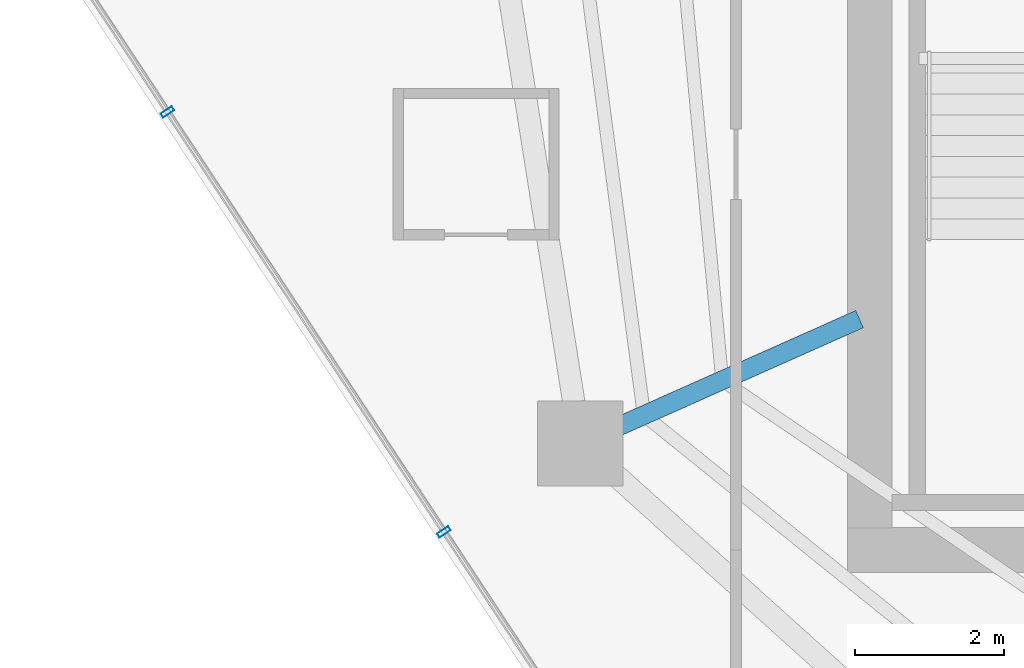
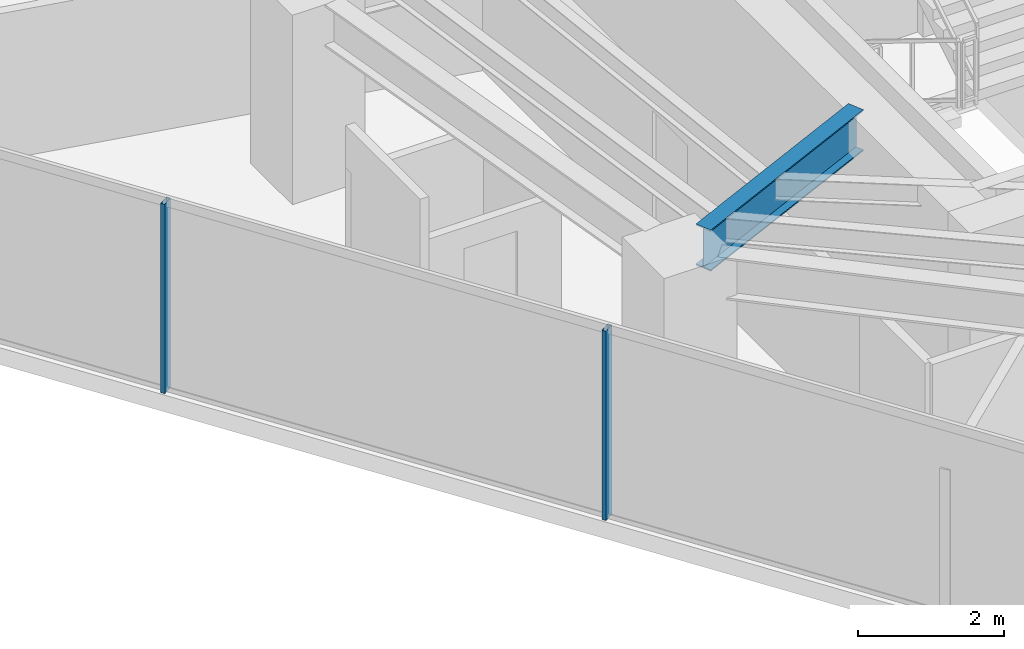
# One storey, part 6 of 30: 2 members, 1 beam, 1 element without a shape of its own.
"""IFC4 building model written with IfcOpenShell, lengths in metres."""

from ifc_helpers import new_model, si_unit, direction, frame, origin, origin_2d, place, context, subcontext, project, spatial, hollow_rectangle, i_section, extrude, material, layer, layer_set, material_profile, profile_set, type_object, element, aggregate, save


model = new_model("IFC4")

# Units and contexts
model_context = context("Model", 3, precision=1e-05, world=origin(), true_north=direction((0.0, 1.0)))
body_context = subcontext(model_context, "Body", "Model", "MODEL_VIEW")
ifc_project = project(units=[si_unit("LENGTHUNIT", "METRE"), si_unit("AREAUNIT", "SQUARE_METRE"), si_unit("VOLUMEUNIT", "CUBIC_METRE"), si_unit("PLANEANGLEUNIT", "RADIAN"), si_unit("MASSUNIT", "GRAM", prefix="KILO")], contexts=[model_context])

# Site, building, storey
site_placement = place(None, origin())
site = spatial("IfcSite", under=ifc_project, at=site_placement, CompositionType="ELEMENT")
building_placement = place(site_placement, origin())
building = spatial("IfcBuilding", under=site, at=building_placement, Name="Qarnah Convention Tower", CompositionType="ELEMENT")
storey_placement = place(building_placement, frame((0.0, 0.0, 79.800048828125)))
storey = spatial("IfcBuildingStorey", under=building, at=storey_placement, Name="L20", CompositionType="ELEMENT", Elevation=79.800048828125)

# Beam
ifc_material_1 = material(Name="Structural steel S355JR", Category="steel")
ifc_material_profile_1 = material_profile(ifc_material_1, i_section(OverallWidth=0.25390625, OverallDepth=0.68798828125, WebThickness=0.012939453125, FlangeThickness=0.02099609375, at=origin_2d()), Name="W690X152")
ifc_profile_set_1 = profile_set([ifc_material_profile_1], Name="Structural steel S355JR")
beam_type = type_object("IfcBeamType", Name="BM-RAD-W690", PredefinedType="BEAM", material=ifc_profile_set_1)
beam_placement = place(storey_placement, frame((26.6630859375, 21.708984375, 2.825927734375), z_axis=(-0.913588053958, -0.4066409567, 0.0), x_axis=(0.4066409567, -0.913588053958, 0.0)))
element("IfcBeam", 1, at=beam_placement, inside=storey, type_object=beam_type, Name="L20 beam BM-L20-RAD-06", PredefinedType="BEAM", context=body_context, shape_type="SweptSolid", body=[
    extrude(i_section(OverallWidth=0.25390625, OverallDepth=0.68798828125, WebThickness=0.012939453125, FlangeThickness=0.02099609375, at=origin_2d()), origin(), (0.0, 0.0, 1.0), 3.560791015625),
])

# Curtain wall, members
ifc_material_2 = material(Name="Tempered Low-E dark glass", Category="glass")
ifc_layer = layer(ifc_material_2, 0.169921875)
ifc_layer_set = layer_set([ifc_layer], Name="Tempered Low-E dark glass")
curtain_wall_type = type_object("IfcCurtainWallType", Name="CWS-02", PredefinedType="NOTDEFINED", material=ifc_layer_set)
curtain_wall_placement = place(storey_placement, origin())
curtain_wall = element("IfcCurtainWall", 2, at=curtain_wall_placement, inside=storey, type_object=curtain_wall_type, Name="L20 unitised curtain wall CW-L20-F3", PredefinedType="NOTDEFINED")
ifc_material_3 = material(Name="Black anodised aluminium", Category="aluminium")
ifc_material_profile_2 = material_profile(ifc_material_3, hollow_rectangle(XDim=0.06494140625, YDim=0.179931640625, WallThickness=0.00390625, at=origin_2d()), Name="MUL-65X180")
ifc_profile_set_2 = profile_set([ifc_material_profile_2], Name="Black anodised aluminium")
member_type = type_object("IfcMemberType", Name="MUL-T2", PredefinedType="MULLION", material=ifc_profile_set_2)
member_1_placement = place(storey_placement, frame((21.06689453125, 18.844482421875, 0.0), z_axis=(0.0, 0.0, 1.0), x_axis=(-0.549904609076, 0.835227466572, 0.0)))
member_1 = element("IfcMember", 3, at=member_1_placement, type_object=member_type, Name="CW-L20-F3 mullion 4", PredefinedType="MULLION", context=body_context, shape_type="SweptSolid", body=[
    extrude(hollow_rectangle(XDim=0.06494140625, YDim=0.179931640625, WallThickness=0.00390625, at=origin_2d()), origin(), (0.0, 0.0, 1.0), 3.169921875),
])
member_2_placement = place(storey_placement, frame((17.344482421875, 24.498291015625, 0.0), z_axis=(0.0, 0.0, 1.0), x_axis=(-0.549904609076, 0.835227466572, 0.0)))
member_2 = element("IfcMember", 4, at=member_2_placement, type_object=member_type, Name="CW-L20-F3 mullion 5", PredefinedType="MULLION", context=body_context, shape_type="SweptSolid", body=[
    extrude(hollow_rectangle(XDim=0.06494140625, YDim=0.179931640625, WallThickness=0.00390625, at=origin_2d()), origin(), (0.0, 0.0, 1.0), 3.169921875),
])
aggregate(curtain_wall, [member_1, member_2])

save(model, "model.ifc")
